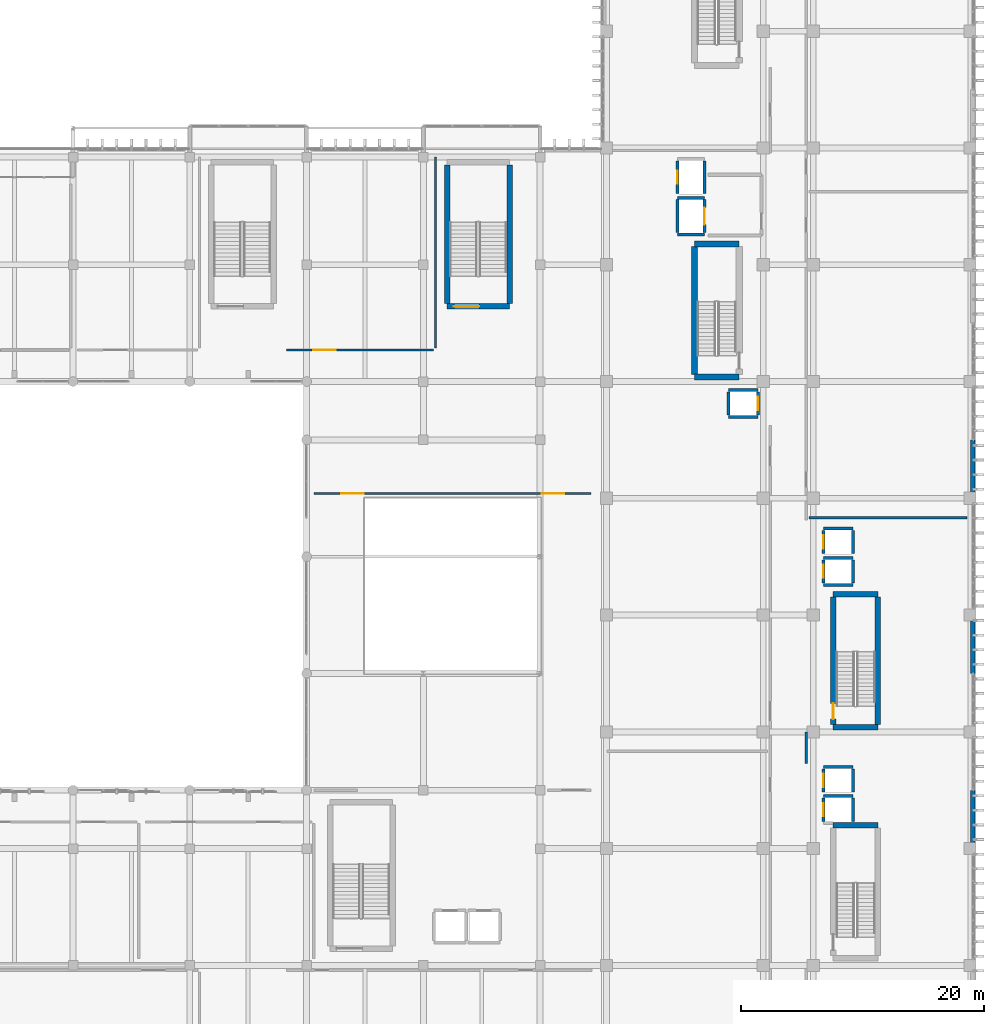
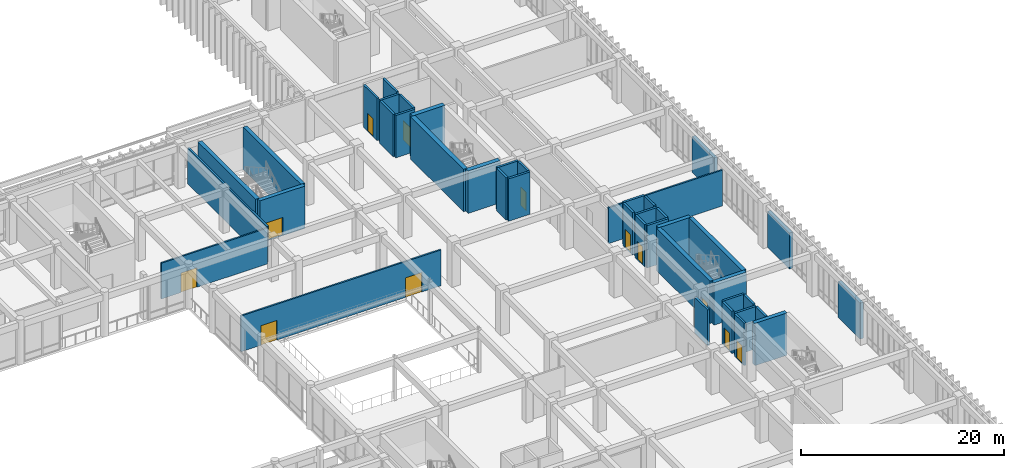
# One storey, part 107 of 134: 42 walls, 12 doors, 12 openings.
"""IFC4 building model written with IfcOpenShell, lengths in metres."""

from ifc_helpers import new_model, si_unit, direction, frame, frame_2d, origin, place, context, subcontext, project, spatial, rectangle, extrude, material, layer, layer_set, type_object, element, fill, save


model = new_model("IFC4")

# Units and contexts
model_context = context("Model", 3, precision=1e-05, world=origin(), true_north=direction((0.0, 1.0)))
body_context = subcontext(model_context, "Body", "Model", "MODEL_VIEW")
ifc_project = project(units=[si_unit("LENGTHUNIT", "METRE"), si_unit("AREAUNIT", "SQUARE_METRE"), si_unit("VOLUMEUNIT", "CUBIC_METRE"), si_unit("PLANEANGLEUNIT", "RADIAN"), si_unit("MASSUNIT", "GRAM", prefix="KILO")], contexts=[model_context])

# Site, building, storey
site_placement = place(None, origin())
site = spatial("IfcSite", under=ifc_project, at=site_placement, CompositionType="ELEMENT")
building_placement = place(site_placement, origin())
building = spatial("IfcBuilding", under=site, at=building_placement, Name="Nakhvara Creek Congress Hotel", CompositionType="ELEMENT")
storey_placement = place(building_placement, frame((0.0, 0.0, 6.0)))
storey = spatial("IfcBuildingStorey", under=building, at=storey_placement, Name="L01", CompositionType="ELEMENT", Elevation=6.0)

# Walls
ifc_material_1 = material(Name="Concrete C50/60", Category="concrete")
ifc_layer_1 = layer(ifc_material_1, 0.449951171875)
ifc_layer_set_1 = layer_set([ifc_layer_1], Name="Concrete C50/60")
wall_type_1 = type_object("IfcWallType", Name="W-CORE-450", PredefinedType="SHEAR", material=ifc_layer_set_1)
for number, where, z_axis, x_axis, name in (
    (1, (168.10009765625, 40.320068359375, 0.0), (0.0, 0.0, 1.0), (1.0, 0.0, 0.0), "Core Shear Wall WS02-CWALL-L01-0568"),
    (2, (168.10009765625, 48.3798828125, 0.0), (0.0, 0.0, 1.0), (1.0, 0.0, 0.0), "Core Shear Wall WS02-CWALL-L01-0654"),
    (3, (168.10009765625, 59.320068359375, 0.0), (0.0, 0.0, 1.0), (1.0, 0.0, 0.0), "Core Shear Wall WS02-CWALL-L01-0655"),
):
    element("IfcWall", number, at=place(storey_placement, frame(where, z_axis=z_axis, x_axis=x_axis)), inside=storey, type_object=wall_type_1, Name=name, PredefinedType="SHEAR", context=body_context, shape_type="SweptSolid", body=[
        extrude(rectangle(XDim=3.669921875, YDim=0.449951171875, at=frame_2d((1.8349609375, 0.0))), origin(), (0.0, 0.0, 1.0), 5.10009765625),
    ])

# Wall, opening, door
wall_1_placement = place(storey_placement, frame((168.10009765625, 48.60009765625, 0.0), z_axis=(0.0, 0.0, 1.0), x_axis=(0.0, 1.0, 0.0)))
wall_1 = element("IfcWall", 4, at=wall_1_placement, inside=storey, type_object=wall_type_1, Name="Core Shear Wall WS02-CWALL-L01-0656", PredefinedType="SHEAR", context=body_context, shape_type="SweptSolid", body=[
    extrude(rectangle(XDim=10.5, YDim=0.449951171875, at=frame_2d((5.25, 0.0))), origin(), (0.0, 0.0, 1.0), 5.10009765625),
])
opening_1_placement = place(wall_1_placement, frame((0.449951171875, 0.0, 0.0)))
opening_1 = element("IfcOpeningElement", 5, at=opening_1_placement, cuts=wall_1, Name="Opening FD04", PredefinedType="OPENING", context=body_context, shape_type="SweptSolid", body=[
    extrude(rectangle(XDim=1.300048828125, YDim=2.14990234375, at=frame_2d((0.64990234375, 1.074951171875))), frame((0.0, 0.23681640625, 0.0), z_axis=(0.0, -1.0, 0.0), x_axis=(1.0, 0.0, 0.0)), (0.0, 0.0, 1.0), 0.473876953125),
])
ifc_material_2 = material(Name="Powder-coated steel fire door", Category="steel")
door_type_1 = type_object("IfcDoorType", Name="DT-STAIR-130", OperationType="NOTDEFINED", PredefinedType="DOOR", material=ifc_material_2)
door_1_placement = place(opening_1_placement, origin())
door_1 = element("IfcDoor", 6, at=door_1_placement, inside=storey, type_object=door_type_1, Name="Stair Exit Door ST04-L01", OperationType="SINGLE_SWING_RIGHT", OverallHeight=2.14990234375, OverallWidth=1.300048828125, PredefinedType="DOOR", context=body_context, shape_type="SweptSolid", body=[
    extrude(rectangle(XDim=1.300048828125, YDim=2.14990234375, at=frame_2d((0.64990234375, 1.074951171875))), frame((0.0, 0.02490234375, 0.0), z_axis=(0.0, -1.0, 0.0), x_axis=(1.0, 0.0, 0.0)), (0.0, 0.0, 1.0), 0.050048828125),
])
fill(opening_1, door_1)

# Wall
wall_2_placement = place(storey_placement, frame((171.77001953125, 48.60009765625, 0.0), z_axis=(0.0, 0.0, 1.0), x_axis=(0.0, 1.0, 0.0)))
element("IfcWall", 7, at=wall_2_placement, inside=storey, type_object=wall_type_1, Name="Core Shear Wall WS02-CWALL-L01-0657", PredefinedType="SHEAR", context=body_context, shape_type="SweptSolid", body=[
    extrude(rectangle(XDim=10.5, YDim=0.449951171875, at=frame_2d((5.25, 0.0))), origin(), (0.0, 0.0, 1.0), 5.10009765625),
])

# Wall, opening, door
wall_3_placement = place(storey_placement, frame((136.35009765625, 82.97998046875, 0.0), z_axis=(0.0, 0.0, 1.0), x_axis=(1.0, 0.0, 0.0)))
wall_3 = element("IfcWall", 8, at=wall_3_placement, inside=storey, type_object=wall_type_1, Name="Core Shear Wall WS02-CWALL-L01-0923", PredefinedType="SHEAR", context=body_context, shape_type="SweptSolid", body=[
    extrude(rectangle(XDim=5.14990234375, YDim=0.449951171875, at=frame_2d((2.574951171875, 0.0))), origin(), (0.0, 0.0, 1.0), 5.10009765625),
])
opening_2_placement = place(wall_3_placement, frame((0.550048828125, 0.0, 0.0)))
opening_2 = element("IfcOpeningElement", 9, at=opening_2_placement, cuts=wall_3, Name="Opening FD19", PredefinedType="OPENING", context=body_context, shape_type="SweptSolid", body=[
    extrude(rectangle(XDim=2.10009765625, YDim=2.199951171875, at=frame_2d((1.050048828125, 1.10009765625))), frame((0.0, 0.23681640625, 0.0), z_axis=(0.0, -1.0, 0.0), x_axis=(1.0, 0.0, 0.0)), (0.0, 0.0, 1.0), 0.473876953125),
])
ifc_material_3 = material(Name="Galvanised steel acoustic fire door", Category="steel")
door_type_2 = type_object("IfcDoorType", Name="DT-STAIR-220", OperationType="DOUBLE_DOOR_SINGLE_SWING", PredefinedType="DOOR", material=ifc_material_3)
door_2_placement = place(opening_2_placement, frame((2.10009765625, 0.0, 0.0), z_axis=(0.0, 0.0, 1.0), x_axis=(-1.0, 0.0, 0.0)))
door_2 = element("IfcDoor", 10, at=door_2_placement, inside=storey, type_object=door_type_2, Name="Stair Exit Door ST10-L01", OperationType="DOUBLE_DOOR_SINGLE_SWING", OverallHeight=2.199951171875, OverallWidth=2.10009765625, PredefinedType="DOOR", context=body_context, shape_type="SweptSolid", body=[
    extrude(rectangle(XDim=2.10009765625, YDim=2.199951171875, at=frame_2d((1.050048828125, 1.10009765625))), frame((0.0, 0.02490234375, 0.0), z_axis=(0.0, -1.0, 0.0), x_axis=(1.0, 0.0, 0.0)), (0.0, 0.0, 1.0), 0.050048828125),
])
fill(opening_2, door_2)

# Walls
for number, where, z_axis, x_axis, name in (
    (11, (136.35009765625, 83.199951171875, 0.0), (0.0, 0.0, 1.0), (0.0, 1.0, 0.0), "Core Shear Wall WS02-CWALL-L01-0925"),
    (12, (141.5, 83.199951171875, 0.0), (0.0, 0.0, 1.0), (0.0, 1.0, 0.0), "Core Shear Wall WS02-CWALL-L01-0926"),
):
    element("IfcWall", number, at=place(storey_placement, frame(where, z_axis=z_axis, x_axis=x_axis)), inside=storey, type_object=wall_type_1, Name=name, PredefinedType="SHEAR", context=body_context, shape_type="SweptSolid", body=[
        extrude(rectangle(XDim=11.400146484375, YDim=0.449951171875, at=frame_2d((5.7001953125, 0.0))), origin(), (0.0, 0.0, 1.0), 5.10009765625),
    ])
ifc_layer_2 = layer(ifc_material_1, 0.5)
ifc_layer_set_2 = layer_set([ifc_layer_2], Name="Concrete C50/60")
wall_type_2 = type_object("IfcWallType", Name="W-CORE-500", PredefinedType="SHEAR", material=ifc_layer_set_2)
for number, where, z_axis, x_axis, name in (
    (13, (156.699951171875, 77.179931640625, 0.0), (0.0, 0.0, 1.0), (1.0, 0.0, 0.0), "Core Shear Wall WS01-CWALL-L01-0055"),
    (14, (156.699951171875, 88.1201171875, 0.0), (0.0, 0.0, 1.0), (1.0, 0.0, 0.0), "Core Shear Wall WS01-CWALL-L01-0056"),
):
    element("IfcWall", number, at=place(storey_placement, frame(where, z_axis=z_axis, x_axis=x_axis)), inside=storey, type_object=wall_type_2, Name=name, PredefinedType="SHEAR", context=body_context, shape_type="SweptSolid", body=[
        extrude(rectangle(XDim=3.670166015625, YDim=0.5, at=frame_2d((1.8349609375, 0.0))), origin(), (0.0, 0.0, 1.0), 5.10009765625),
    ])
wall_4_placement = place(storey_placement, frame((156.699951171875, 77.39990234375, 0.0), z_axis=(0.0, 0.0, 1.0), x_axis=(0.0, 1.0, 0.0)))
element("IfcWall", 15, at=wall_4_placement, inside=storey, type_object=wall_type_2, Name="Core Shear Wall WS01-CWALL-L01-0057", PredefinedType="SHEAR", context=body_context, shape_type="SweptSolid", body=[
    extrude(rectangle(XDim=10.5, YDim=0.5, at=frame_2d((5.25, 0.0))), origin(), (0.0, 0.0, 1.0), 5.10009765625),
])
ifc_material_4 = material(Name="Gypsum acoustic board on steel stud", Category="steel")
ifc_layer_3 = layer(ifc_material_4, 0.219970703125)
ifc_layer_set_3 = layer_set([ifc_layer_3], Name="Gypsum acoustic board on steel stud")
wall_type_3 = type_object("IfcWallType", Name="W-CORR-220", PredefinedType="PARTITIONING", material=ifc_layer_set_3)
wall_5_placement = place(storey_placement, frame((165.8798828125, 45.39990234375, 0.0), z_axis=(0.0, 0.0, 1.0), x_axis=(0.0, 1.0, 0.0)))
element("IfcWall", 16, at=wall_5_placement, inside=storey, type_object=wall_type_3, Name="Interior Wall WP11-IW-L01-0082", PredefinedType="PARTITIONING", context=body_context, shape_type="SweptSolid", body=[
    extrude(rectangle(XDim=2.60009765625, YDim=0.219970703125, at=frame_2d((1.300048828125, 0.0))), origin(), (0.0, 0.0, 1.0), 4.31201171875),
])
ifc_material_5 = material(Name="Honed pale Omani limestone cladding", Category="masonry")
ifc_layer_4 = layer(ifc_material_5, 0.050048828125)
ifc_material_6 = material(Name="Mineral wool thermal insulation")
ifc_layer_5 = layer(ifc_material_6, 0.110107421875)
ifc_material_7 = material(Name="Precast concrete C40/50", Category="concrete")
ifc_layer_6 = layer(ifc_material_7, 0.219970703125)
ifc_layer_set_4 = layer_set([ifc_layer_4, ifc_layer_5, ifc_layer_6], Name="Precast concrete C40/50")
wall_type_4 = type_object("IfcWallType", Name="W-EXT-380", PredefinedType="SOLIDWALL", material=ifc_layer_set_4)
for number, where, z_axis, x_axis, name in (
    (17, (179.56005859375, 43.199951171875, 0.0), (0.0, 0.0, 1.0), (0.0, -1.0, 0.0), "Exterior Wall WE03-EW-L01-0099"),
    (18, (179.56005859375, 57.125, 0.0), (0.0, 0.0, 1.0), (0.0, -1.0, 0.0), "Exterior Wall WE03-EW-L01-0100"),
    (19, (179.56005859375, 72.0, 0.0), (0.0, 0.0, 1.0), (0.0, -1.0, 0.0), "Exterior Wall WE03-EW-L01-0101"),
):
    element("IfcWall", number, at=place(storey_placement, frame(where, z_axis=z_axis, x_axis=x_axis)), inside=storey, type_object=wall_type_4, Name=name, PredefinedType="SOLIDWALL", context=body_context, shape_type="SweptSolid", body=[
        extrude(rectangle(XDim=4.324951171875, YDim=0.3798828125, at=frame_2d((2.16259765625, 0.0))), origin(), (0.0, 0.0, 1.0), 4.342041015625),
    ])

# Wall, opening, door
ifc_layer_7 = layer(ifc_material_4, 0.179931640625)
ifc_layer_set_5 = layer_set([ifc_layer_7], Name="Gypsum acoustic board on steel stud")
wall_type_5 = type_object("IfcWallType", Name="W-MEET-180", PredefinedType="PARTITIONING", material=ifc_layer_set_5)
wall_6_placement = place(storey_placement, frame((123.14990234375, 79.39990234375, 0.0), z_axis=(0.0, 0.0, 1.0), x_axis=(1.0, 0.0, 0.0)))
wall_6 = element("IfcWall", 20, at=wall_6_placement, inside=storey, type_object=wall_type_5, Name="Interior Wall WP13-IW-L01-0101", PredefinedType="PARTITIONING", context=body_context, shape_type="SweptSolid", body=[
    extrude(rectangle(XDim=12.10009765625, YDim=0.179931640625, at=frame_2d((6.050048828125, 0.0))), origin(), (0.0, 0.0, 1.0), 4.31201171875),
])
opening_3_placement = place(wall_6_placement, frame((2.199951171875, 0.0, 0.0)))
opening_3 = element("IfcOpeningElement", 21, at=opening_3_placement, cuts=wall_6, Name="Opening MD01", PredefinedType="OPENING", context=body_context, shape_type="SweptSolid", body=[
    extrude(rectangle(XDim=1.85009765625, YDim=2.35009765625, at=frame_2d((0.925048828125, 1.175048828125))), frame((0.0, 0.10205078125, 0.0), z_axis=(0.0, -1.0, 0.0), x_axis=(1.0, 0.0, 0.0)), (0.0, 0.0, 1.0), 0.203857421875),
])
ifc_material_8 = material(Name="Acoustic walnut timber double door", Category="wood")
door_type_3 = type_object("IfcDoorType", Name="DT-MEET-185", OperationType="DOUBLE_DOOR_SINGLE_SWING", PredefinedType="DOOR", material=ifc_material_8)
door_3_placement = place(opening_3_placement, frame((1.85009765625, 0.0, 0.0), z_axis=(0.0, 0.0, 1.0), x_axis=(-1.0, 0.0, 0.0)))
door_3 = element("IfcDoor", 22, at=door_3_placement, inside=storey, type_object=door_type_3, Name="Interior Door MD01-0100", OperationType="DOUBLE_DOOR_SINGLE_SWING", OverallHeight=2.35009765625, OverallWidth=1.85009765625, PredefinedType="DOOR", context=body_context, shape_type="SweptSolid", body=[
    extrude(rectangle(XDim=1.85009765625, YDim=2.35009765625, at=frame_2d((0.925048828125, 1.175048828125))), frame((0.0, 0.02490234375, 0.0), z_axis=(0.0, -1.0, 0.0), x_axis=(1.0, 0.0, 0.0)), (0.0, 0.0, 1.0), 0.050048828125),
])
fill(opening_3, door_3)

# Wall, openings, doors
wall_7_placement = place(storey_placement, frame((125.39990234375, 67.60009765625, 0.0), z_axis=(0.0, 0.0, 1.0), x_axis=(1.0, 0.0, 0.0)))
wall_7 = element("IfcWall", 23, at=wall_7_placement, inside=storey, type_object=wall_type_5, Name="Interior Wall WP13-IW-L01-0111", PredefinedType="PARTITIONING", context=body_context, shape_type="SweptSolid", body=[
    extrude(rectangle(XDim=22.800048828125, YDim=0.179931640625, at=frame_2d((11.39990234375, 0.0))), origin(), (0.0, 0.0, 1.0), 4.31201171875),
])
opening_4_placement = place(wall_7_placement, frame((2.25, 0.0, 0.0)))
opening_4 = element("IfcOpeningElement", 24, at=opening_4_placement, cuts=wall_7, Name="Opening MD01", PredefinedType="OPENING", context=body_context, shape_type="SweptSolid", body=[
    extrude(rectangle(XDim=1.85009765625, YDim=2.35009765625, at=frame_2d((0.925048828125, 1.175048828125))), frame((0.0, 0.10205078125, 0.0), z_axis=(0.0, -1.0, 0.0), x_axis=(1.0, 0.0, 0.0)), (0.0, 0.0, 1.0), 0.203857421875),
])
opening_5_placement = place(wall_7_placement, frame((18.75, 0.0, 0.0)))
opening_5 = element("IfcOpeningElement", 25, at=opening_5_placement, cuts=wall_7, Name="Opening MD01", PredefinedType="OPENING", context=body_context, shape_type="SweptSolid", body=[
    extrude(rectangle(XDim=1.85009765625, YDim=2.35009765625, at=frame_2d((0.925048828125, 1.175048828125))), frame((0.0, 0.10205078125, 0.0), z_axis=(0.0, -1.0, 0.0), x_axis=(1.0, 0.0, 0.0)), (0.0, 0.0, 1.0), 0.203857421875),
])
door_4_placement = place(opening_4_placement, frame((1.85009765625, 0.0, 0.0), z_axis=(0.0, 0.0, 1.0), x_axis=(-1.0, 0.0, 0.0)))
door_4 = element("IfcDoor", 26, at=door_4_placement, inside=storey, type_object=door_type_3, Name="Interior Door MD01-0108", OperationType="DOUBLE_DOOR_SINGLE_SWING", OverallHeight=2.35009765625, OverallWidth=1.85009765625, PredefinedType="DOOR", context=body_context, shape_type="SweptSolid", body=[
    extrude(rectangle(XDim=1.85009765625, YDim=2.35009765625, at=frame_2d((0.925048828125, 1.175048828125))), frame((0.0, 0.02490234375, 0.0), z_axis=(0.0, -1.0, 0.0), x_axis=(1.0, 0.0, 0.0)), (0.0, 0.0, 1.0), 0.050048828125),
])
fill(opening_4, door_4)
door_5_placement = place(opening_5_placement, frame((1.85009765625, 0.0, 0.0), z_axis=(0.0, 0.0, 1.0), x_axis=(-1.0, 0.0, 0.0)))
door_5 = element("IfcDoor", 27, at=door_5_placement, inside=storey, type_object=door_type_3, Name="Interior Door MD01-0109", OperationType="DOUBLE_DOOR_SINGLE_SWING", OverallHeight=2.35009765625, OverallWidth=1.85009765625, PredefinedType="DOOR", context=body_context, shape_type="SweptSolid", body=[
    extrude(rectangle(XDim=1.85009765625, YDim=2.35009765625, at=frame_2d((0.925048828125, 1.175048828125))), frame((0.0, 0.02490234375, 0.0), z_axis=(0.0, -1.0, 0.0), x_axis=(1.0, 0.0, 0.0)), (0.0, 0.0, 1.0), 0.050048828125),
])
fill(opening_5, door_5)

# Walls
wall_8_placement = place(storey_placement, frame((166.10009765625, 65.60009765625, 0.0), z_axis=(0.0, 0.0, 1.0), x_axis=(1.0, 0.0, 0.0)))
element("IfcWall", 28, at=wall_8_placement, inside=storey, type_object=wall_type_5, Name="Interior Wall WP13-IW-L01-0115", PredefinedType="PARTITIONING", context=body_context, shape_type="SweptSolid", body=[
    extrude(rectangle(XDim=13.0, YDim=0.179931640625, at=frame_2d((6.5, 0.0))), origin(), (0.0, 0.0, 1.0), 4.31201171875),
])
ifc_layer_8 = layer(ifc_material_4, 0.199951171875)
ifc_layer_set_6 = layer_set([ifc_layer_8], Name="Gypsum acoustic board on steel stud")
wall_type_6 = type_object("IfcWallType", Name="W-PART-200", PredefinedType="PARTITIONING", material=ifc_layer_set_6)
wall_9_placement = place(storey_placement, frame((135.39990234375, 79.550048828125, 0.0), z_axis=(0.0, 0.0, 1.0), x_axis=(0.0, 1.0, 0.0)))
element("IfcWall", 29, at=wall_9_placement, inside=storey, type_object=wall_type_6, Name="Interior Wall WP12-IW-L01-0102", PredefinedType="PARTITIONING", context=body_context, shape_type="SweptSolid", body=[
    extrude(rectangle(XDim=15.699951171875, YDim=0.199951171875, at=frame_2d((7.85009765625, 0.0))), origin(), (0.0, 0.0, 1.0), 4.31201171875),
])
ifc_material_9 = material(Name="Concrete C40/50", Category="concrete")
ifc_layer_9 = layer(ifc_material_9, 0.25)
ifc_layer_set_7 = layer_set([ifc_layer_9], Name="Concrete C40/50")
wall_type_7 = type_object("IfcWallType", Name="W-SHAFT-250", PredefinedType="SOLIDWALL", material=ifc_layer_set_7)
for number, where, z_axis, x_axis, name in (
    (30, (155.2900390625, 88.889892578125, 0.0), (0.0, 0.0, 1.0), (1.0, 0.0, 0.0), "Core Shear Wall WI02-CWALL-L01-0059"),
    (31, (155.2900390625, 91.909912109375, 0.0), (0.0, 0.0, 1.0), (1.0, 0.0, 0.0), "Core Shear Wall WI02-CWALL-L01-0060"),
):
    element("IfcWall", number, at=place(storey_placement, frame(where, z_axis=z_axis, x_axis=x_axis)), inside=storey, type_object=wall_type_7, Name=name, PredefinedType="SOLIDWALL", context=body_context, shape_type="SweptSolid", body=[
        extrude(rectangle(XDim=2.219970703125, YDim=0.25, at=frame_2d((1.10986328125, 0.0))), origin(), (0.0, 0.0, 1.0), 5.10009765625),
    ])
wall_10_placement = place(storey_placement, frame((155.2900390625, 89.050048828125, 0.0), z_axis=(0.0, 0.0, 1.0), x_axis=(0.0, 1.0, 0.0)))
element("IfcWall", 32, at=wall_10_placement, inside=storey, type_object=wall_type_7, Name="Core Shear Wall WI02-CWALL-L01-0061", PredefinedType="SOLIDWALL", context=body_context, shape_type="SweptSolid", body=[
    extrude(rectangle(XDim=2.699951171875, YDim=0.25, at=frame_2d((1.35009765625, 0.0))), origin(), (0.0, 0.0, 1.0), 5.10009765625),
])

# Wall, opening, door
wall_11_placement = place(storey_placement, frame((157.510009765625, 89.050048828125, 0.0), z_axis=(0.0, 0.0, 1.0), x_axis=(0.0, 1.0, 0.0)))
wall_11 = element("IfcWall", 33, at=wall_11_placement, inside=storey, type_object=wall_type_7, Name="Core Shear Wall WI02-CWALL-L01-0062", PredefinedType="SOLIDWALL", context=body_context, shape_type="SweptSolid", body=[
    extrude(rectangle(XDim=2.699951171875, YDim=0.25, at=frame_2d((1.35009765625, 0.0))), origin(), (0.0, 0.0, 1.0), 5.10009765625),
])
opening_6_placement = place(wall_11_placement, frame((0.64990234375, 0.0, 0.0)))
opening_6 = element("IfcOpeningElement", 34, at=opening_6_placement, cuts=wall_11, Name="Opening LD02", PredefinedType="OPENING", context=body_context, shape_type="SweptSolid", body=[
    extrude(rectangle(XDim=1.39990234375, YDim=2.300048828125, at=frame_2d((0.699951171875, 1.14990234375))), frame((0.0, 0.136962890625, 0.0), z_axis=(0.0, -1.0, 0.0), x_axis=(1.0, 0.0, 0.0)), (0.0, 0.0, 1.0), 0.27392578125),
])
ifc_material_10 = material(Name="Brushed stainless steel heavy goods landing door", Category="steel")
door_type_4 = type_object("IfcDoorType", Name="DT-LIFT-140", OperationType="DOUBLE_DOOR_SLIDING", PredefinedType="DOOR", material=ifc_material_10)
door_6_placement = place(opening_6_placement, origin())
door_6 = element("IfcDoor", 35, at=door_6_placement, inside=storey, type_object=door_type_4, Name="Landing Door FFL1-L01", OperationType="SLIDING_TO_LEFT", OverallHeight=2.300048828125, OverallWidth=1.39990234375, PredefinedType="DOOR", context=body_context, shape_type="SweptSolid", body=[
    extrude(rectangle(XDim=1.39990234375, YDim=2.300048828125, at=frame_2d((0.699951171875, 1.14990234375))), frame((0.0, 0.02490234375, 0.0), z_axis=(0.0, -1.0, 0.0), x_axis=(1.0, 0.0, 0.0)), (0.0, 0.0, 1.0), 0.050048828125),
])
fill(opening_6, door_6)

wall_12_placement = place(storey_placement, frame((155.2900390625, 92.25, 0.0), z_axis=(0.0, 0.0, 1.0), x_axis=(0.0, 1.0, 0.0)))
wall_12 = element("IfcWall", 36, at=wall_12_placement, inside=storey, type_object=wall_type_7, Name="Core Shear Wall WI02-CWALL-L01-0064", PredefinedType="SOLIDWALL", context=body_context, shape_type="SweptSolid", body=[
    extrude(rectangle(XDim=2.699951171875, YDim=0.25, at=frame_2d((1.35009765625, 0.0))), origin(), (0.0, 0.0, 1.0), 5.10009765625),
])
opening_7_placement = place(wall_12_placement, frame((0.800048828125, 0.0, 0.0)))
opening_7 = element("IfcOpeningElement", 37, at=opening_7_placement, cuts=wall_12, Name="Opening LD01", PredefinedType="OPENING", context=body_context, shape_type="SweptSolid", body=[
    extrude(rectangle(XDim=1.10009765625, YDim=2.199951171875, at=frame_2d((0.550048828125, 1.10009765625))), frame((0.0, 0.136962890625, 0.0), z_axis=(0.0, -1.0, 0.0), x_axis=(1.0, 0.0, 0.0)), (0.0, 0.0, 1.0), 0.27392578125),
])
ifc_material_11 = material(Name="Brushed stainless steel sliding landing door", Category="steel")
door_type_5 = type_object("IfcDoorType", Name="DT-LIFT-110", OperationType="DOUBLE_DOOR_SLIDING", PredefinedType="DOOR", material=ifc_material_11)
door_7_placement = place(opening_7_placement, origin())
door_7 = element("IfcDoor", 38, at=door_7_placement, inside=storey, type_object=door_type_5, Name="Landing Door SL01-L01", OperationType="SLIDING_TO_LEFT", OverallHeight=2.199951171875, OverallWidth=1.10009765625, PredefinedType="DOOR", context=body_context, shape_type="SweptSolid", body=[
    extrude(rectangle(XDim=1.10009765625, YDim=2.199951171875, at=frame_2d((0.550048828125, 1.10009765625))), frame((0.0, 0.02490234375, 0.0), z_axis=(0.0, -1.0, 0.0), x_axis=(1.0, 0.0, 0.0)), (0.0, 0.0, 1.0), 0.050048828125),
])
fill(opening_7, door_7)

# Walls
wall_13_placement = place(storey_placement, frame((157.510009765625, 92.25, 0.0), z_axis=(0.0, 0.0, 1.0), x_axis=(0.0, 1.0, 0.0)))
element("IfcWall", 39, at=wall_13_placement, inside=storey, type_object=wall_type_7, Name="Core Shear Wall WI02-CWALL-L01-0065", PredefinedType="SOLIDWALL", context=body_context, shape_type="SweptSolid", body=[
    extrude(rectangle(XDim=2.699951171875, YDim=0.25, at=frame_2d((1.35009765625, 0.0))), origin(), (0.0, 0.0, 1.0), 5.10009765625),
])
for number, where, z_axis, x_axis, name in (
    (40, (159.489990234375, 73.889892578125, 0.0), (0.0, 0.0, 1.0), (1.0, 0.0, 0.0), "Core Shear Wall WI02-CWALL-L01-0066"),
    (41, (159.489990234375, 76.110107421875, 0.0), (0.0, 0.0, 1.0), (1.0, 0.0, 0.0), "Core Shear Wall WI02-CWALL-L01-0067"),
):
    element("IfcWall", number, at=place(storey_placement, frame(where, z_axis=z_axis, x_axis=x_axis)), inside=storey, type_object=wall_type_7, Name=name, PredefinedType="SOLIDWALL", context=body_context, shape_type="SweptSolid", body=[
        extrude(rectangle(XDim=2.419921875, YDim=0.25, at=frame_2d((1.2099609375, 0.0))), origin(), (0.0, 0.0, 1.0), 5.10009765625),
    ])
wall_14_placement = place(storey_placement, frame((159.489990234375, 74.050048828125, 0.0), z_axis=(0.0, 0.0, 1.0), x_axis=(0.0, 1.0, 0.0)))
element("IfcWall", 42, at=wall_14_placement, inside=storey, type_object=wall_type_7, Name="Core Shear Wall WI02-CWALL-L01-0068", PredefinedType="SOLIDWALL", context=body_context, shape_type="SweptSolid", body=[
    extrude(rectangle(XDim=1.89990234375, YDim=0.25, at=frame_2d((0.949951171875, 0.0))), origin(), (0.0, 0.0, 1.0), 5.10009765625),
])

# Wall, opening, door
wall_15_placement = place(storey_placement, frame((161.909912109375, 74.050048828125, 0.0), z_axis=(0.0, 0.0, 1.0), x_axis=(0.0, 1.0, 0.0)))
wall_15 = element("IfcWall", 43, at=wall_15_placement, inside=storey, type_object=wall_type_7, Name="Core Shear Wall WI02-CWALL-L01-0069", PredefinedType="SOLIDWALL", context=body_context, shape_type="SweptSolid", body=[
    extrude(rectangle(XDim=1.89990234375, YDim=0.25, at=frame_2d((0.949951171875, 0.0))), origin(), (0.0, 0.0, 1.0), 5.10009765625),
])
opening_8_placement = place(wall_15_placement, frame((0.39990234375, 0.0, 0.0)))
opening_8 = element("IfcOpeningElement", 44, at=opening_8_placement, cuts=wall_15, Name="Opening LD01", PredefinedType="OPENING", context=body_context, shape_type="SweptSolid", body=[
    extrude(rectangle(XDim=1.10009765625, YDim=2.199951171875, at=frame_2d((0.550048828125, 1.10009765625))), frame((0.0, 0.136962890625, 0.0), z_axis=(0.0, -1.0, 0.0), x_axis=(1.0, 0.0, 0.0)), (0.0, 0.0, 1.0), 0.27392578125),
])
door_8_placement = place(opening_8_placement, origin())
door_8 = element("IfcDoor", 45, at=door_8_placement, inside=storey, type_object=door_type_5, Name="Landing Door PL02-L01", OperationType="SLIDING_TO_LEFT", OverallHeight=2.199951171875, OverallWidth=1.10009765625, PredefinedType="DOOR", context=body_context, shape_type="SweptSolid", body=[
    extrude(rectangle(XDim=1.10009765625, YDim=2.199951171875, at=frame_2d((0.550048828125, 1.10009765625))), frame((0.0, 0.02490234375, 0.0), z_axis=(0.0, -1.0, 0.0), x_axis=(1.0, 0.0, 0.0)), (0.0, 0.0, 1.0), 0.050048828125),
])
fill(opening_8, door_8)

# Wall
wall_16_placement = place(storey_placement, frame((167.2900390625, 42.7099609375, 0.0), z_axis=(0.0, 0.0, 1.0), x_axis=(1.0, 0.0, 0.0)))
element("IfcWall", 46, at=wall_16_placement, inside=storey, type_object=wall_type_7, Name="Core Shear Wall WI02-CWALL-L01-0572", PredefinedType="SOLIDWALL", context=body_context, shape_type="SweptSolid", body=[
    extrude(rectangle(XDim=2.419921875, YDim=0.25, at=frame_2d((1.2099609375, 0.0))), origin(), (0.0, 0.0, 1.0), 5.10009765625),
])

# Wall, opening, door
wall_17_placement = place(storey_placement, frame((167.2900390625, 40.64990234375, 0.0), z_axis=(0.0, 0.0, 1.0), x_axis=(0.0, 1.0, 0.0)))
wall_17 = element("IfcWall", 47, at=wall_17_placement, inside=storey, type_object=wall_type_7, Name="Core Shear Wall WI02-CWALL-L01-0573", PredefinedType="SOLIDWALL", context=body_context, shape_type="SweptSolid", body=[
    extrude(rectangle(XDim=1.900146484375, YDim=0.25, at=frame_2d((0.9501953125, 0.0))), origin(), (0.0, 0.0, 1.0), 5.10009765625),
])
opening_9_placement = place(wall_17_placement, frame((0.39990234375, 0.0, 0.0)))
opening_9 = element("IfcOpeningElement", 48, at=opening_9_placement, cuts=wall_17, Name="Opening LD01", PredefinedType="OPENING", context=body_context, shape_type="SweptSolid", body=[
    extrude(rectangle(XDim=1.10009765625, YDim=2.199951171875, at=frame_2d((0.550048828125, 1.10009765625))), frame((0.0, 0.136962890625, 0.0), z_axis=(0.0, -1.0, 0.0), x_axis=(1.0, 0.0, 0.0)), (0.0, 0.0, 1.0), 0.27392578125),
])
door_9_placement = place(opening_9_placement, origin())
door_9 = element("IfcDoor", 49, at=door_9_placement, inside=storey, type_object=door_type_5, Name="Landing Door PL03-L01", OperationType="SLIDING_TO_LEFT", OverallHeight=2.199951171875, OverallWidth=1.10009765625, PredefinedType="DOOR", context=body_context, shape_type="SweptSolid", body=[
    extrude(rectangle(XDim=1.10009765625, YDim=2.199951171875, at=frame_2d((0.550048828125, 1.10009765625))), frame((0.0, 0.02490234375, 0.0), z_axis=(0.0, -1.0, 0.0), x_axis=(1.0, 0.0, 0.0)), (0.0, 0.0, 1.0), 0.050048828125),
])
fill(opening_9, door_9)

# Walls
wall_18_placement = place(storey_placement, frame((169.7099609375, 40.64990234375, 0.0), z_axis=(0.0, 0.0, 1.0), x_axis=(0.0, 1.0, 0.0)))
element("IfcWall", 50, at=wall_18_placement, inside=storey, type_object=wall_type_7, Name="Core Shear Wall WI02-CWALL-L01-0574", PredefinedType="SOLIDWALL", context=body_context, shape_type="SweptSolid", body=[
    extrude(rectangle(XDim=1.900146484375, YDim=0.25, at=frame_2d((0.9501953125, 0.0))), origin(), (0.0, 0.0, 1.0), 5.10009765625),
])
wall_19_placement = place(storey_placement, frame((167.2900390625, 45.110107421875, 0.0), z_axis=(0.0, 0.0, 1.0), x_axis=(1.0, 0.0, 0.0)))
element("IfcWall", 51, at=wall_19_placement, inside=storey, type_object=wall_type_7, Name="Core Shear Wall WI02-CWALL-L01-0575", PredefinedType="SOLIDWALL", context=body_context, shape_type="SweptSolid", body=[
    extrude(rectangle(XDim=2.419921875, YDim=0.25, at=frame_2d((1.2099609375, 0.0))), origin(), (0.0, 0.0, 1.0), 5.10009765625),
])

# Wall, opening, door
wall_20_placement = place(storey_placement, frame((167.2900390625, 43.050048828125, 0.0), z_axis=(0.0, 0.0, 1.0), x_axis=(0.0, 1.0, 0.0)))
wall_20 = element("IfcWall", 52, at=wall_20_placement, inside=storey, type_object=wall_type_7, Name="Core Shear Wall WI02-CWALL-L01-0576", PredefinedType="SOLIDWALL", context=body_context, shape_type="SweptSolid", body=[
    extrude(rectangle(XDim=1.89990234375, YDim=0.25, at=frame_2d((0.949951171875, 0.0))), origin(), (0.0, 0.0, 1.0), 5.10009765625),
])
opening_10_placement = place(wall_20_placement, frame((0.39990234375, 0.0, 0.0)))
opening_10 = element("IfcOpeningElement", 53, at=opening_10_placement, cuts=wall_20, Name="Opening LD01", PredefinedType="OPENING", context=body_context, shape_type="SweptSolid", body=[
    extrude(rectangle(XDim=1.10009765625, YDim=2.199951171875, at=frame_2d((0.550048828125, 1.10009765625))), frame((0.0, 0.136962890625, 0.0), z_axis=(0.0, -1.0, 0.0), x_axis=(1.0, 0.0, 0.0)), (0.0, 0.0, 1.0), 0.27392578125),
])
door_10_placement = place(opening_10_placement, origin())
door_10 = element("IfcDoor", 54, at=door_10_placement, inside=storey, type_object=door_type_5, Name="Landing Door PL04-L01", OperationType="SLIDING_TO_LEFT", OverallHeight=2.199951171875, OverallWidth=1.10009765625, PredefinedType="DOOR", context=body_context, shape_type="SweptSolid", body=[
    extrude(rectangle(XDim=1.10009765625, YDim=2.199951171875, at=frame_2d((0.550048828125, 1.10009765625))), frame((0.0, 0.02490234375, 0.0), z_axis=(0.0, -1.0, 0.0), x_axis=(1.0, 0.0, 0.0)), (0.0, 0.0, 1.0), 0.050048828125),
])
fill(opening_10, door_10)

# Walls
wall_21_placement = place(storey_placement, frame((169.7099609375, 43.050048828125, 0.0), z_axis=(0.0, 0.0, 1.0), x_axis=(0.0, 1.0, 0.0)))
element("IfcWall", 55, at=wall_21_placement, inside=storey, type_object=wall_type_7, Name="Core Shear Wall WI02-CWALL-L01-0577", PredefinedType="SOLIDWALL", context=body_context, shape_type="SweptSolid", body=[
    extrude(rectangle(XDim=1.89990234375, YDim=0.25, at=frame_2d((0.949951171875, 0.0))), origin(), (0.0, 0.0, 1.0), 5.10009765625),
])
for number, where, z_axis, x_axis, name in (
    (56, (167.2900390625, 60.090087890625, 0.0), (0.0, 0.0, 1.0), (1.0, 0.0, 0.0), "Core Shear Wall WI02-CWALL-L01-0658"),
    (57, (167.2900390625, 62.31005859375, 0.0), (0.0, 0.0, 1.0), (1.0, 0.0, 0.0), "Core Shear Wall WI02-CWALL-L01-0659"),
):
    element("IfcWall", number, at=place(storey_placement, frame(where, z_axis=z_axis, x_axis=x_axis)), inside=storey, type_object=wall_type_7, Name=name, PredefinedType="SOLIDWALL", context=body_context, shape_type="SweptSolid", body=[
        extrude(rectangle(XDim=2.419921875, YDim=0.25, at=frame_2d((1.2099609375, 0.0))), origin(), (0.0, 0.0, 1.0), 5.10009765625),
    ])

# Wall, opening, door
wall_22_placement = place(storey_placement, frame((167.2900390625, 60.25, 0.0), z_axis=(0.0, 0.0, 1.0), x_axis=(0.0, 1.0, 0.0)))
wall_22 = element("IfcWall", 58, at=wall_22_placement, inside=storey, type_object=wall_type_7, Name="Core Shear Wall WI02-CWALL-L01-0660", PredefinedType="SOLIDWALL", context=body_context, shape_type="SweptSolid", body=[
    extrude(rectangle(XDim=1.89990234375, YDim=0.25, at=frame_2d((0.949951171875, 0.0))), origin(), (0.0, 0.0, 1.0), 5.10009765625),
])
opening_11_placement = place(wall_22_placement, frame((0.39990234375, 0.0, 0.0)))
opening_11 = element("IfcOpeningElement", 59, at=opening_11_placement, cuts=wall_22, Name="Opening LD01", PredefinedType="OPENING", context=body_context, shape_type="SweptSolid", body=[
    extrude(rectangle(XDim=1.10009765625, YDim=2.199951171875, at=frame_2d((0.550048828125, 1.10009765625))), frame((0.0, 0.136962890625, 0.0), z_axis=(0.0, -1.0, 0.0), x_axis=(1.0, 0.0, 0.0)), (0.0, 0.0, 1.0), 0.27392578125),
])
door_11_placement = place(opening_11_placement, origin())
door_11 = element("IfcDoor", 60, at=door_11_placement, inside=storey, type_object=door_type_5, Name="Landing Door PL05-L01", OperationType="SLIDING_TO_LEFT", OverallHeight=2.199951171875, OverallWidth=1.10009765625, PredefinedType="DOOR", context=body_context, shape_type="SweptSolid", body=[
    extrude(rectangle(XDim=1.10009765625, YDim=2.199951171875, at=frame_2d((0.550048828125, 1.10009765625))), frame((0.0, 0.02490234375, 0.0), z_axis=(0.0, -1.0, 0.0), x_axis=(1.0, 0.0, 0.0)), (0.0, 0.0, 1.0), 0.050048828125),
])
fill(opening_11, door_11)

# Walls
wall_23_placement = place(storey_placement, frame((169.7099609375, 60.25, 0.0), z_axis=(0.0, 0.0, 1.0), x_axis=(0.0, 1.0, 0.0)))
element("IfcWall", 61, at=wall_23_placement, inside=storey, type_object=wall_type_7, Name="Core Shear Wall WI02-CWALL-L01-0661", PredefinedType="SOLIDWALL", context=body_context, shape_type="SweptSolid", body=[
    extrude(rectangle(XDim=1.89990234375, YDim=0.25, at=frame_2d((0.949951171875, 0.0))), origin(), (0.0, 0.0, 1.0), 5.10009765625),
])
wall_24_placement = place(storey_placement, frame((167.2900390625, 64.7099609375, 0.0), z_axis=(0.0, 0.0, 1.0), x_axis=(1.0, 0.0, 0.0)))
element("IfcWall", 62, at=wall_24_placement, inside=storey, type_object=wall_type_7, Name="Core Shear Wall WI02-CWALL-L01-0662", PredefinedType="SOLIDWALL", context=body_context, shape_type="SweptSolid", body=[
    extrude(rectangle(XDim=2.419921875, YDim=0.25, at=frame_2d((1.2099609375, 0.0))), origin(), (0.0, 0.0, 1.0), 5.10009765625),
])

# Wall, opening, door
wall_25_placement = place(storey_placement, frame((167.2900390625, 62.64990234375, 0.0), z_axis=(0.0, 0.0, 1.0), x_axis=(0.0, 1.0, 0.0)))
wall_25 = element("IfcWall", 63, at=wall_25_placement, inside=storey, type_object=wall_type_7, Name="Core Shear Wall WI02-CWALL-L01-0663", PredefinedType="SOLIDWALL", context=body_context, shape_type="SweptSolid", body=[
    extrude(rectangle(XDim=1.900146484375, YDim=0.25, at=frame_2d((0.9501953125, 0.0))), origin(), (0.0, 0.0, 1.0), 5.10009765625),
])
opening_12_placement = place(wall_25_placement, frame((0.39990234375, 0.0, 0.0)))
opening_12 = element("IfcOpeningElement", 64, at=opening_12_placement, cuts=wall_25, Name="Opening LD01", PredefinedType="OPENING", context=body_context, shape_type="SweptSolid", body=[
    extrude(rectangle(XDim=1.10009765625, YDim=2.199951171875, at=frame_2d((0.550048828125, 1.10009765625))), frame((0.0, 0.136962890625, 0.0), z_axis=(0.0, -1.0, 0.0), x_axis=(1.0, 0.0, 0.0)), (0.0, 0.0, 1.0), 0.27392578125),
])
door_12_placement = place(opening_12_placement, origin())
door_12 = element("IfcDoor", 65, at=door_12_placement, inside=storey, type_object=door_type_5, Name="Landing Door PL06-L01", OperationType="SLIDING_TO_LEFT", OverallHeight=2.199951171875, OverallWidth=1.10009765625, PredefinedType="DOOR", context=body_context, shape_type="SweptSolid", body=[
    extrude(rectangle(XDim=1.10009765625, YDim=2.199951171875, at=frame_2d((0.550048828125, 1.10009765625))), frame((0.0, 0.02490234375, 0.0), z_axis=(0.0, -1.0, 0.0), x_axis=(1.0, 0.0, 0.0)), (0.0, 0.0, 1.0), 0.050048828125),
])
fill(opening_12, door_12)

# Wall
wall_26_placement = place(storey_placement, frame((169.7099609375, 62.64990234375, 0.0), z_axis=(0.0, 0.0, 1.0), x_axis=(0.0, 1.0, 0.0)))
element("IfcWall", 66, at=wall_26_placement, inside=storey, type_object=wall_type_7, Name="Core Shear Wall WI02-CWALL-L01-0664", PredefinedType="SOLIDWALL", context=body_context, shape_type="SweptSolid", body=[
    extrude(rectangle(XDim=1.900146484375, YDim=0.25, at=frame_2d((0.9501953125, 0.0))), origin(), (0.0, 0.0, 1.0), 5.10009765625),
])

save(model, "model.ifc")
